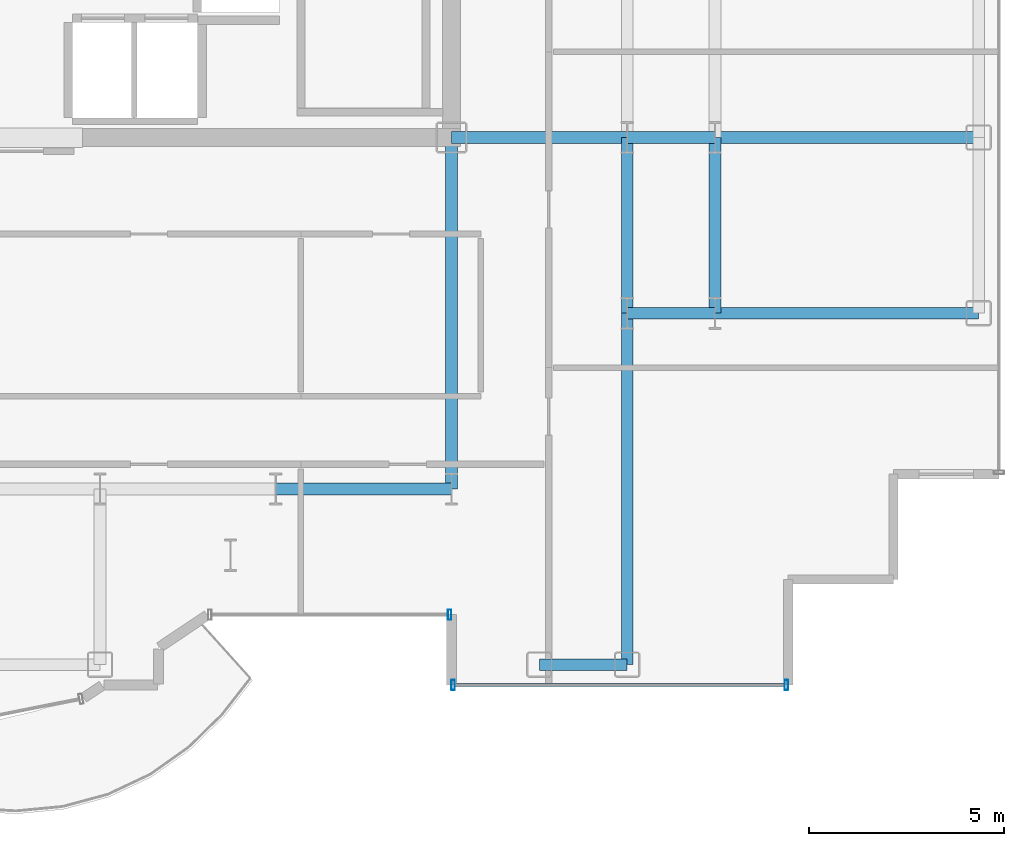
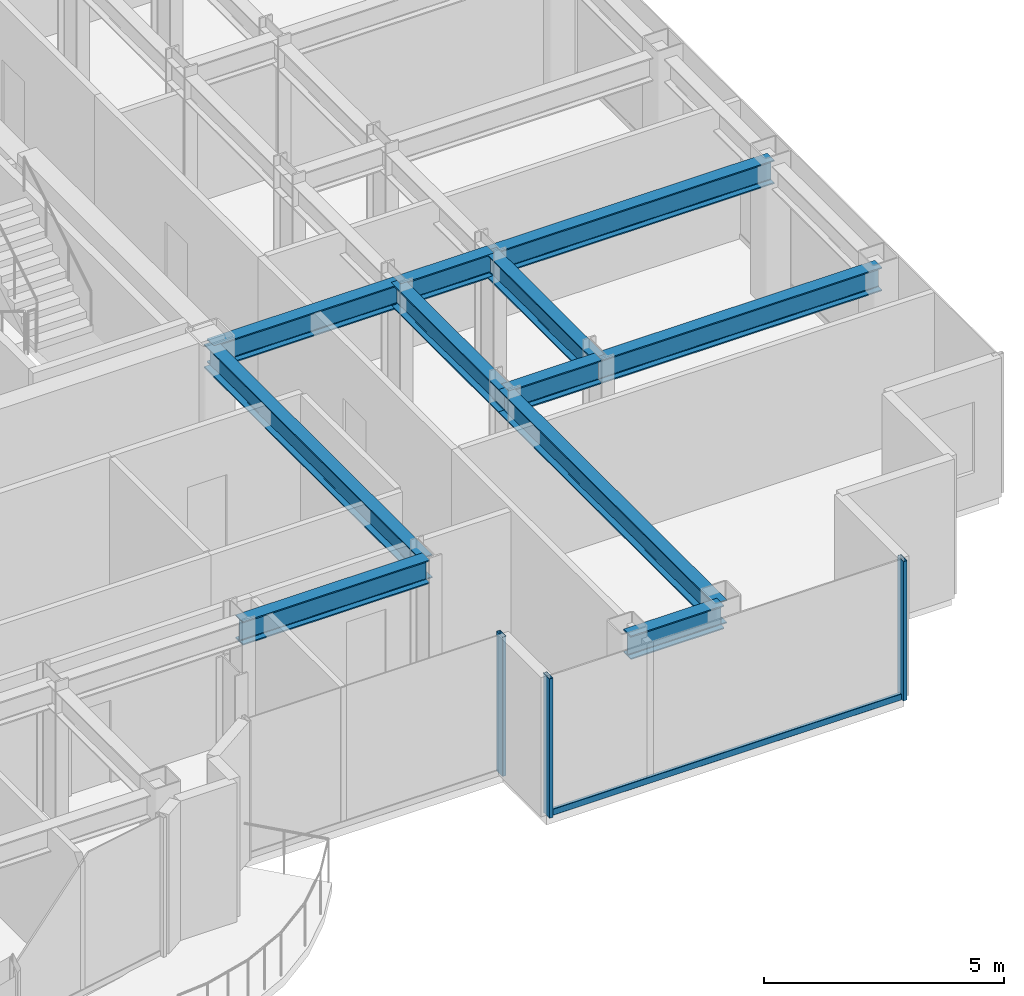
# One storey, part 5 of 21: 11 beams, 4 members, 2 elements without a shape of their own.
"""IFC4 building model written with IfcOpenShell, lengths in metres."""

from ifc_helpers import new_model, si_unit, direction, frame, origin, origin_2d, place, context, subcontext, project, spatial, hollow_rectangle, i_section, extrude, source, transform, mapped, material, layer, layer_set, material_profile, profile_set, type_object, element, aggregate, save


model = new_model("IFC4")

# Units and contexts
model_context = context("Model", 3, precision=1e-05, world=origin(), true_north=direction((0.0, 1.0)))
body_context = subcontext(model_context, "Body", "Model", "MODEL_VIEW")
ifc_project = project(units=[si_unit("LENGTHUNIT", "METRE"), si_unit("AREAUNIT", "SQUARE_METRE"), si_unit("VOLUMEUNIT", "CUBIC_METRE"), si_unit("PLANEANGLEUNIT", "RADIAN"), si_unit("MASSUNIT", "GRAM", prefix="KILO")], contexts=[model_context])

# Site, building, storey
site_placement = place(None, origin())
site = spatial("IfcSite", under=ifc_project, at=site_placement, CompositionType="ELEMENT")
building_placement = place(site_placement, origin())
building = spatial("IfcBuilding", under=site, at=building_placement, Name="Nefas-Gora Pilgrimage Tower", CompositionType="ELEMENT")
storey_placement = place(building_placement, frame((0.0, 0.0, 210.39990234375)))
storey = spatial("IfcBuildingStorey", under=building, at=storey_placement, Name="L52", CompositionType="ELEMENT", Elevation=210.39990234375)

# Beams
ifc_material_1 = material(Name="Steel S355", Category="steel")
ifc_material_profile_1 = material_profile(ifc_material_1, i_section(OverallWidth=0.300048828125, OverallDepth=0.60009765625, WebThickness=0.015380859375, FlangeThickness=0.030029296875, FilletRadius=0.027099609375, at=origin_2d()), Name="HEB 600")
ifc_profile_set_1 = profile_set([ifc_material_profile_1], Name="Steel S355")
beam_type_1 = type_object("IfcBeamType", Name="BM-GIR-HEB600", PredefinedType="BEAM", material=ifc_profile_set_1)
shared_shape_1 = source(origin(), body_context, "Body", "SweptSolid", [
    extrude(i_section(OverallWidth=0.300048828125, OverallDepth=0.60009765625, WebThickness=0.015380859375, FlangeThickness=0.030029296875, FilletRadius=0.027099609375, at=origin_2d()), origin(), (0.0, 0.0, 1.0), 9.0),
])
for number, where, z_axis, x_axis, name in (
    (1, (11.25, -18.0, 3.25), (0.0, 1.0, 0.0), (-1.0, 0.0, 0.0), "L52 G-04 beam"),
    (2, (15.75, -22.5, 3.25), (0.0, 1.0, 0.0), (-1.0, 0.0, 0.0), "L52 G-04 beam"),
):
    element("IfcBeam", number, at=place(storey_placement, frame(where, z_axis=z_axis, x_axis=x_axis)), inside=storey, type_object=beam_type_1, Name=name, PredefinedType="BEAM", context=body_context, shape_type="MappedRepresentation", body=[
        mapped(shared_shape_1, transform((0.0, 0.0, 0.0), x_axis=(1.0, 0.0, 0.0), y_axis=(0.0, 1.0, 0.0), z_axis=(0.0, 0.0, 1.0), scale=1.0)),
    ])
shared_shape_2 = source(origin(), body_context, "Body", "SweptSolid", [
    extrude(i_section(OverallWidth=0.300048828125, OverallDepth=0.60009765625, WebThickness=0.015380859375, FlangeThickness=0.030029296875, FilletRadius=0.027099609375, at=origin_2d()), origin(), (0.0, 0.0, 1.0), 4.5),
])
for number, where, z_axis, x_axis, name in (
    (3, (6.75, -18.0, 3.25), (1.0, 0.0, 0.0), (0.0, 1.0, 0.0), "L52 G-04 beam"),
    (4, (11.25, -9.0, 3.25), (1.0, 0.0, 0.0), (0.0, 1.0, 0.0), "L52 G-04 beam"),
    (5, (15.75, -13.5, 3.25), (0.0, 1.0, 0.0), (-1.0, 0.0, 0.0), "L52 G-04 beam"),
    (6, (18.0, -13.5, 3.25), (0.0, 1.0, 0.0), (-1.0, 0.0, 0.0), "L52 G-04 beam"),
):
    element("IfcBeam", number, at=place(storey_placement, frame(where, z_axis=z_axis, x_axis=x_axis)), inside=storey, type_object=beam_type_1, Name=name, PredefinedType="BEAM", context=body_context, shape_type="MappedRepresentation", body=[
        mapped(shared_shape_2, transform((0.0, 0.0, 0.0), x_axis=(1.0, 0.0, 0.0), y_axis=(0.0, 1.0, 0.0), z_axis=(0.0, 0.0, 1.0), scale=1.0)),
    ])
shared_shape_3 = source(origin(), body_context, "Body", "SweptSolid", [
    extrude(i_section(OverallWidth=0.300048828125, OverallDepth=0.60009765625, WebThickness=0.015380859375, FlangeThickness=0.030029296875, FilletRadius=0.027099609375, at=origin_2d()), origin(), (0.0, 0.0, 1.0), 6.75),
])
for number, where, z_axis, x_axis, name in (
    (7, (18.0, -13.5, 3.25), (1.0, 0.0, 0.0), (0.0, 1.0, 0.0), "L52 G-04 beam"),
    (8, (18.0, -9.0, 3.25), (1.0, 0.0, 0.0), (0.0, 1.0, 0.0), "L52 G-04 beam"),
):
    element("IfcBeam", number, at=place(storey_placement, frame(where, z_axis=z_axis, x_axis=x_axis)), inside=storey, type_object=beam_type_1, Name=name, PredefinedType="BEAM", context=body_context, shape_type="MappedRepresentation", body=[
        mapped(shared_shape_3, transform((0.0, 0.0, 0.0), x_axis=(1.0, 0.0, 0.0), y_axis=(0.0, 1.0, 0.0), z_axis=(0.0, 0.0, 1.0), scale=1.0)),
    ])
ifc_material_profile_2 = material_profile(ifc_material_1, i_section(OverallWidth=0.300048828125, OverallDepth=0.60009765625, WebThickness=0.015380859375, FlangeThickness=0.030029296875, FilletRadius=0.027099609375, at=origin_2d()), Name="HEB 600")
ifc_profile_set_2 = profile_set([ifc_material_profile_2], Name="Steel S355")
beam_type_2 = type_object("IfcBeamType", Name="BM-SPN-HEB450", PredefinedType="SPANDREL", material=ifc_profile_set_2)
shared_shape_4 = source(origin(), body_context, "Body", "SweptSolid", [
    extrude(i_section(OverallWidth=0.300048828125, OverallDepth=0.60009765625, WebThickness=0.015380859375, FlangeThickness=0.030029296875, FilletRadius=0.027099609375, at=origin_2d()), origin(), (0.0, 0.0, 1.0), 2.25),
])
beam_placement = place(storey_placement, frame((13.5, -22.5, 3.25), z_axis=(1.0, 0.0, 0.0), x_axis=(0.0, 1.0, 0.0)))
element("IfcBeam", 9, at=beam_placement, inside=storey, type_object=beam_type_2, Name="L52 SP-03 beam", PredefinedType="SPANDREL", context=body_context, shape_type="MappedRepresentation", body=[
    mapped(shared_shape_4, transform((0.0, 0.0, 0.0), x_axis=(1.0, 0.0, 0.0), y_axis=(0.0, 1.0, 0.0), z_axis=(0.0, 0.0, 1.0), scale=1.0)),
])
shared_shape_5 = source(origin(), body_context, "Body", "SweptSolid", [
    extrude(i_section(OverallWidth=0.300048828125, OverallDepth=0.60009765625, WebThickness=0.015380859375, FlangeThickness=0.030029296875, FilletRadius=0.027099609375, at=origin_2d()), origin(), (0.0, 0.0, 1.0), 2.25),
])
for number, where, z_axis, x_axis, name in (
    (10, (15.75, -13.5, 3.25), (1.0, 0.0, 0.0), (0.0, 1.0, 0.0), "L52 G-04 beam"),
    (11, (15.75, -9.0, 3.25), (1.0, 0.0, 0.0), (0.0, 1.0, 0.0), "L52 G-04 beam"),
):
    element("IfcBeam", number, at=place(storey_placement, frame(where, z_axis=z_axis, x_axis=x_axis)), inside=storey, type_object=beam_type_1, Name=name, PredefinedType="BEAM", context=body_context, shape_type="MappedRepresentation", body=[
        mapped(shared_shape_5, transform((0.0, 0.0, 0.0), x_axis=(1.0, 0.0, 0.0), y_axis=(0.0, 1.0, 0.0), z_axis=(0.0, 0.0, 1.0), scale=1.0)),
    ])

# Curtain wall, member
ifc_material_2 = material(Name="Dark ceramic-fritted solar-control aluminium-glass curtain wall", Category="aluminium")
ifc_layer_1 = layer(ifc_material_2, 0.219970703125)
ifc_layer_set_1 = layer_set([ifc_layer_1], Name="Dark ceramic-fritted solar-control aluminium-glass curtain wall")
curtain_wall_type_1 = type_object("IfcCurtainWallType", Name="CW-SYS-5", PredefinedType="NOTDEFINED", material=ifc_layer_set_1)
curtain_wall_1_placement = place(storey_placement, origin())
curtain_wall_1 = element("IfcCurtainWall", 12, at=curtain_wall_1_placement, inside=storey, type_object=curtain_wall_type_1, Name="L52 Unitised Curtain Wall CW5", PredefinedType="NOTDEFINED")
ifc_material_3 = material(Name="Anodised architectural aluminium", Category="aluminium")
ifc_material_profile_3 = material_profile(ifc_material_3, hollow_rectangle(XDim=0.090087890625, YDim=0.260009765625, WallThickness=0.006103515625, InnerFilletRadius=0.006103515625, OuterFilletRadius=0.011962890625, at=origin_2d()), Name="ALU MULLION 90x260")
ifc_profile_set_3 = profile_set([ifc_material_profile_3], Name="Anodised architectural aluminium")
member_type_1 = type_object("IfcMemberType", Name="CWM-MUL-5", PredefinedType="MULLION", material=ifc_profile_set_3)
shared_shape_6 = source(origin(), body_context, "Body", "SweptSolid", [
    extrude(hollow_rectangle(XDim=0.090087890625, YDim=0.260009765625, WallThickness=0.006103515625, InnerFilletRadius=0.006103515625, OuterFilletRadius=0.011962890625, at=origin_2d()), origin(), (0.0, 0.0, 1.0), 3.550048828125),
])
member_1_placement = place(storey_placement, frame((11.205078125, -21.219970703125, 0.0), z_axis=(0.0, 0.0, 1.0), x_axis=(1.0, 0.0, 0.0)))
member_1 = element("IfcMember", 13, at=member_1_placement, type_object=member_type_1, Name="CW5 Mullion 2", PredefinedType="MULLION", context=body_context, shape_type="MappedRepresentation", body=[
    mapped(shared_shape_6, transform((0.0, 0.0, 0.0), x_axis=(1.0, 0.0, 0.0), y_axis=(0.0, 1.0, 0.0), z_axis=(0.0, 0.0, 1.0), scale=1.0)),
])
aggregate(curtain_wall_1, [member_1])

# Curtain wall, members
ifc_layer_2 = layer(ifc_material_2, 0.219970703125)
ifc_layer_set_2 = layer_set([ifc_layer_2], Name="Dark ceramic-fritted solar-control aluminium-glass curtain wall")
curtain_wall_type_2 = type_object("IfcCurtainWallType", Name="CW-SYS-3", PredefinedType="NOTDEFINED", material=ifc_layer_set_2)
curtain_wall_2_placement = place(storey_placement, origin())
curtain_wall_2 = element("IfcCurtainWall", 14, at=curtain_wall_2_placement, inside=storey, type_object=curtain_wall_type_2, Name="L52 Unitised Curtain Wall CW3", PredefinedType="NOTDEFINED")
ifc_material_profile_4 = material_profile(ifc_material_3, hollow_rectangle(XDim=0.090087890625, YDim=0.260009765625, WallThickness=0.006103515625, InnerFilletRadius=0.006103515625, OuterFilletRadius=0.011962890625, at=origin_2d()), Name="ALU MULLION 90x260")
ifc_profile_set_4 = profile_set([ifc_material_profile_4], Name="Anodised architectural aluminium")
member_type_2 = type_object("IfcMemberType", Name="CWM-MUL-3", PredefinedType="MULLION", material=ifc_profile_set_4)
shared_shape_7 = source(origin(), body_context, "Body", "SweptSolid", [
    extrude(hollow_rectangle(XDim=0.090087890625, YDim=0.260009765625, WallThickness=0.006103515625, InnerFilletRadius=0.006103515625, OuterFilletRadius=0.011962890625, at=origin_2d()), origin(), (0.0, 0.0, 1.0), 3.550048828125),
])
member_2_placement = place(storey_placement, frame((11.294921875, -23.02001953125, 0.0), z_axis=(0.0, 0.0, 1.0), x_axis=(1.0, 0.0, 0.0)))
member_2 = element("IfcMember", 15, at=member_2_placement, type_object=member_type_2, Name="CW3 Mullion 1", PredefinedType="MULLION", context=body_context, shape_type="MappedRepresentation", body=[
    mapped(shared_shape_7, transform((0.0, 0.0, 0.0), x_axis=(1.0, 0.0, 0.0), y_axis=(0.0, 1.0, 0.0), z_axis=(0.0, 0.0, 1.0), scale=1.0)),
])
member_3_placement = place(storey_placement, frame((19.824951171875, -23.02001953125, 0.0), z_axis=(0.0, 0.0, 1.0), x_axis=(1.0, 0.0, 0.0)))
member_3 = element("IfcMember", 16, at=member_3_placement, type_object=member_type_2, Name="CW3 Mullion 2", PredefinedType="MULLION", context=body_context, shape_type="MappedRepresentation", body=[
    mapped(shared_shape_7, transform((0.0, 0.0, 0.0), x_axis=(1.0, 0.0, 0.0), y_axis=(0.0, 1.0, 0.0), z_axis=(0.0, 0.0, 1.0), scale=1.0)),
])
ifc_material_profile_5 = material_profile(ifc_material_3, hollow_rectangle(XDim=0.080078125, YDim=0.159912109375, WallThickness=0.00439453125, InnerFilletRadius=0.00439453125, OuterFilletRadius=0.009033203125, at=origin_2d()), Name="ALU TRANSOM 80x160")
ifc_profile_set_5 = profile_set([ifc_material_profile_5], Name="Anodised architectural aluminium")
member_type_3 = type_object("IfcMemberType", Name="CWM-TRN-3", PredefinedType="USERDEFINED", material=ifc_profile_set_5)
shared_shape_8 = source(origin(), body_context, "Body", "SweptSolid", [
    extrude(hollow_rectangle(XDim=0.080078125, YDim=0.159912109375, WallThickness=0.00439453125, InnerFilletRadius=0.00439453125, OuterFilletRadius=0.009033203125, at=origin_2d()), origin(), (0.0, 0.0, 1.0), 8.43994140625),
])
member_4_placement = place(storey_placement, frame((11.340087890625, -23.02001953125, 0.050048828125), z_axis=(1.0, 0.0, 0.0), x_axis=(0.0, 1.0, 0.0)))
member_4 = element("IfcMember", 17, at=member_4_placement, type_object=member_type_3, Name="CW3 Spandrel Transom", ObjectType="TRANSOM", PredefinedType="USERDEFINED", context=body_context, shape_type="MappedRepresentation", body=[
    mapped(shared_shape_8, transform((0.0, 0.0, 0.0), x_axis=(1.0, 0.0, 0.0), y_axis=(0.0, 1.0, 0.0), z_axis=(0.0, 0.0, 1.0), scale=1.0)),
])
aggregate(curtain_wall_2, [member_2, member_3, member_4])

save(model, "model.ifc")
